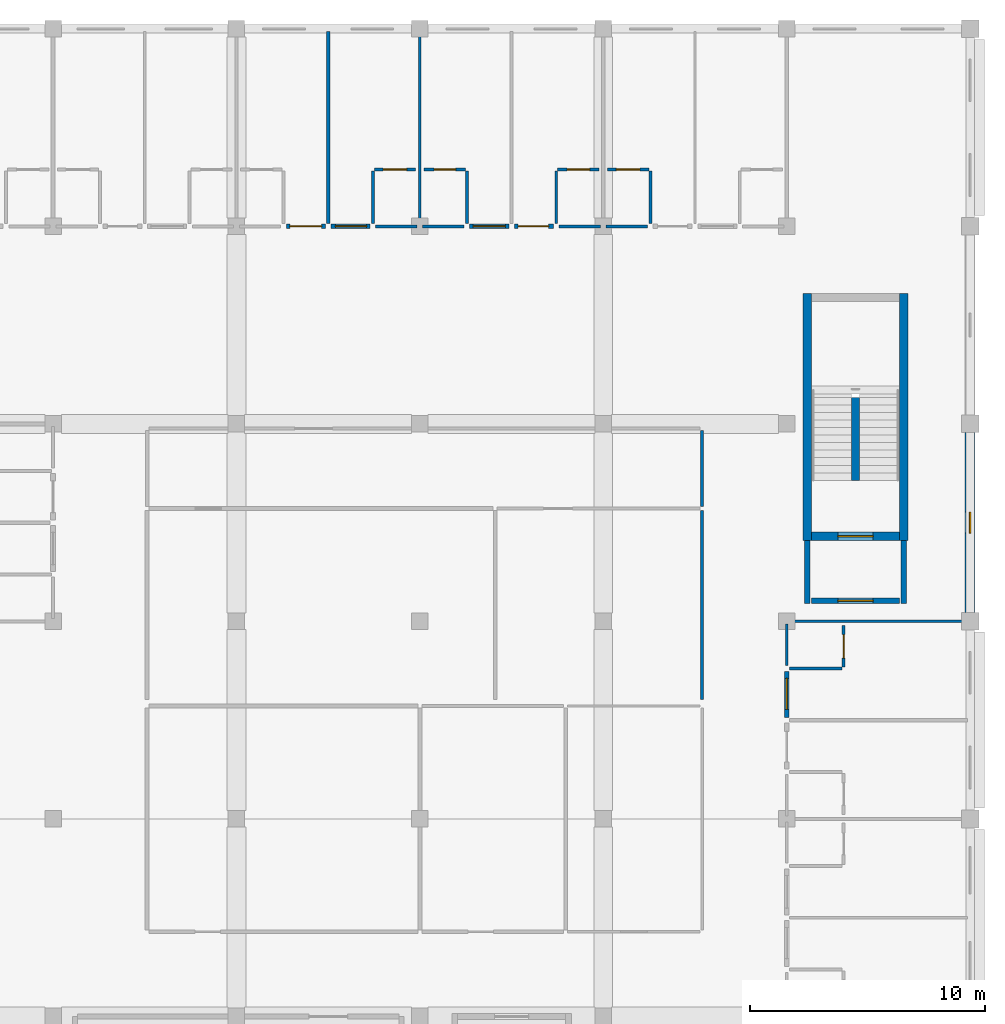
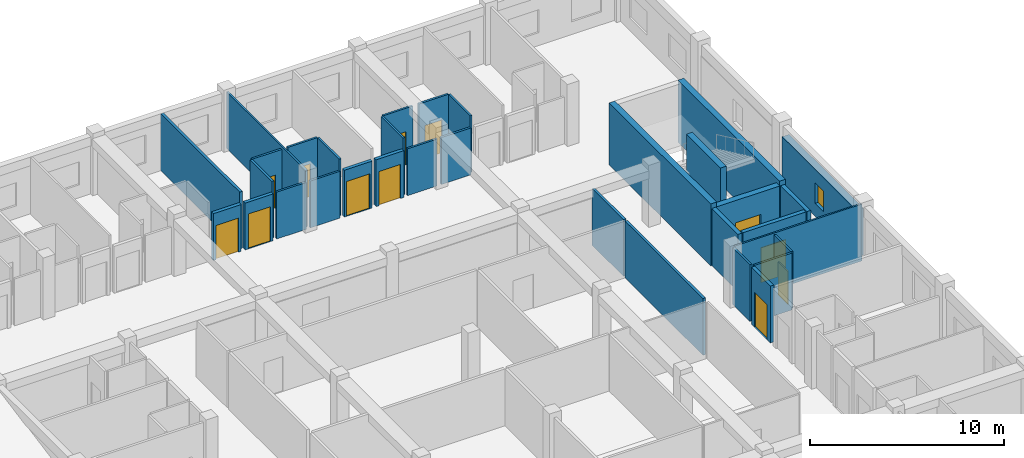
# One storey, part 62 of 72: 33 walls, 12 doors, 1 window, 13 openings.
"""IFC4 building model written with IfcOpenShell, lengths in metres."""

from ifc_helpers import new_model, si_unit, direction, frame, frame_2d, origin, place, context, subcontext, project, spatial, rectangle, extrude, material, layer, layer_set, type_object, element, fill, save


model = new_model("IFC4")

# Units and contexts
model_context = context("Model", 3, precision=1e-05, world=origin(), true_north=direction((0.0, 1.0)))
body_context = subcontext(model_context, "Body", "Model", "MODEL_VIEW")
ifc_project = project(units=[si_unit("LENGTHUNIT", "METRE"), si_unit("AREAUNIT", "SQUARE_METRE"), si_unit("VOLUMEUNIT", "CUBIC_METRE"), si_unit("PLANEANGLEUNIT", "RADIAN"), si_unit("MASSUNIT", "GRAM", prefix="KILO"), si_unit("THERMODYNAMICTEMPERATUREUNIT", "KELVIN"), si_unit("POWERUNIT", "WATT")], contexts=[model_context])

# Site, building, storey
site_placement = place(None, origin())
site = spatial("IfcSite", under=ifc_project, at=site_placement, CompositionType="ELEMENT")
building_placement = place(site_placement, origin())
building = spatial("IfcBuilding", under=site, at=building_placement, Name="Srebrne Nadtorze General Hospital", CompositionType="ELEMENT")
storey_placement = place(building_placement, frame((0.0, 0.0, 22.199951171875)))
storey = spatial("IfcBuildingStorey", under=building, at=storey_placement, Name="L05", CompositionType="ELEMENT", Elevation=22.199951171875)

# Wall, opening, window
ifc_material_1 = material(Name="Concrete C40/50", Category="concrete")
ifc_layer_1 = layer(ifc_material_1, 0.419921875)
ifc_layer_set_1 = layer_set([ifc_layer_1], Name="Concrete C40/50")
wall_type_1 = type_object("IfcWallType", Name="Acoustic buffer wall 420", PredefinedType="SOLIDWALL", material=ifc_layer_set_1)
wall_1_placement = place(storey_placement, frame((148.199951171875, 67.574951171875, 0.0), z_axis=(0.0, 0.0, 1.0), x_axis=(0.0, 1.0, 0.0)))
wall_1 = element("IfcWall", 1, at=wall_1_placement, inside=storey, type_object=wall_type_1, Name="Exterior wall WL-ENV-L05-0457", PredefinedType="SOLIDWALL", context=body_context, shape_type="SweptSolid", body=[
    extrude(rectangle(XDim=7.650146484375, YDim=0.419921875, at=frame_2d((3.8251953125, 0.0))), origin(), (0.0, 0.0, 1.0), 2.949951171875),
])
opening_1_placement = place(wall_1_placement, frame((3.375, 0.0, 0.800048828125)))
opening_1 = element("IfcOpeningElement", 2, at=opening_1_placement, cuts=wall_1, Name="Opening WN-L05-0749", PredefinedType="OPENING", context=body_context, shape_type="SweptSolid", body=[
    extrude(rectangle(XDim=0.89990234375, YDim=1.300048828125, at=frame_2d((0.449951171875, 0.64990234375))), frame((0.0, 0.221923828125, 0.0), z_axis=(0.0, -1.0, 0.0), x_axis=(1.0, 0.0, 0.0)), (0.0, 0.0, 1.0), 0.44384765625),
])
ifc_material_2 = material(Name="Triple Low-E Glazing", Category="glass")
window_type = type_object("IfcWindowType", Name="Punched clinical window 900x1300", PartitioningType="SINGLE_PANEL", PredefinedType="WINDOW", material=ifc_material_2)
window_placement = place(opening_1_placement, origin())
window = element("IfcWindow", 3, at=window_placement, inside=storey, type_object=window_type, Name="Clinical window WN-L05-0749", OverallHeight=1.300048828125, OverallWidth=0.89990234375, PartitioningType="SINGLE_PANEL", PredefinedType="WINDOW", context=body_context, shape_type="SweptSolid", body=[
    extrude(rectangle(XDim=0.89990234375, YDim=1.300048828125, at=frame_2d((0.449951171875, 0.64990234375))), frame((0.0, 0.030029296875, 0.0), z_axis=(0.0, -1.0, 0.0), x_axis=(1.0, 0.0, 0.0)), (0.0, 0.0, 1.0), 0.06005859375),
])
fill(opening_1, window)

# Walls
ifc_material_3 = material(Name="Gypsum Healthcare Partition")
ifc_layer_2 = layer(ifc_material_3, 0.139892578125)
ifc_layer_set_2 = layer_set([ifc_layer_2], Name="Gypsum Healthcare Partition")
wall_type_2 = type_object("IfcWallType", Name="Clinical partition 140", PredefinedType="PARTITIONING", material=ifc_layer_set_2)
wall_2_placement = place(storey_placement, frame((136.800048828125, 63.885009765625, 0.0), z_axis=(0.0, 0.0, 1.0), x_axis=(0.0, 1.0, 0.0)))
element("IfcWall", 4, at=wall_2_placement, inside=storey, type_object=wall_type_2, Name="Joint Mobilisation Clinic wall WL-INT-L05-2141", PredefinedType="PARTITIONING", context=body_context, shape_type="SweptSolid", body=[
    extrude(rectangle(XDim=8.030029296875, YDim=0.139892578125, at=frame_2d((4.01513671875, 0.0))), origin(), (0.0, 0.0, 1.0), 3.580078125),
])
wall_3_placement = place(storey_placement, frame((136.800048828125, 72.0849609375, 0.0), z_axis=(0.0, 0.0, 1.0), x_axis=(0.0, 1.0, 0.0)))
element("IfcWall", 5, at=wall_3_placement, inside=storey, type_object=wall_type_2, Name="Inpatient Ward Day Room wall WL-INT-L05-2152", PredefinedType="PARTITIONING", context=body_context, shape_type="SweptSolid", body=[
    extrude(rectangle(XDim=3.22998046875, YDim=0.139892578125, at=frame_2d((1.614990234375, 0.0))), origin(), (0.0, 0.0, 1.0), 3.580078125),
])
ifc_material_4 = material(Name="Gypsum Healthcare Partition")
ifc_layer_3 = layer(ifc_material_4, 0.159912109375)
ifc_layer_set_3 = layer_set([ifc_layer_3], Name="Gypsum Healthcare Partition")
wall_type_3 = type_object("IfcWallType", Name="Clinical partition 160", PredefinedType="PARTITIONING", material=ifc_layer_set_3)
wall_4_placement = place(storey_placement, frame((120.89990234375, 84.1201171875, 0.0), z_axis=(0.0, 0.0, 1.0), x_axis=(0.0, 1.0, 0.0)))
element("IfcWall", 6, at=wall_4_placement, inside=storey, type_object=wall_type_3, Name="Ward inter-room partition WL-INT-L05-2024", PredefinedType="PARTITIONING", context=body_context, shape_type="SweptSolid", body=[
    extrude(rectangle(XDim=8.159912109375, YDim=0.159912109375, at=frame_2d((4.080078125, 0.0))), origin(), (0.0, 0.0, 1.0), 3.580078125),
])

# Wall, opening, door
ifc_material_5 = material(Name="Gypsum Healthcare Partition")
ifc_layer_4 = layer(ifc_material_5, 0.199951171875)
ifc_layer_set_4 = layer_set([ifc_layer_4], Name="Gypsum Healthcare Partition")
wall_type_4 = type_object("IfcWallType", Name="Compartment wall 200", PredefinedType="STANDARD", material=ifc_layer_set_4)
wall_5_placement = place(storey_placement, frame((119.1201171875, 84.0, 0.0), z_axis=(0.0, 0.0, 1.0), x_axis=(1.0, 0.0, 0.0)))
wall_5 = element("IfcWall", 7, at=wall_5_placement, inside=storey, type_object=wall_type_4, Name="Ward corridor wall WL-INT-L05-2025", PredefinedType="STANDARD", context=body_context, shape_type="SweptSolid", body=[
    extrude(rectangle(XDim=1.659912109375, YDim=0.199951171875, at=frame_2d((0.830078125, 0.0))), origin(), (0.0, 0.0, 1.0), 2.949951171875),
])
opening_2_placement = place(wall_5_placement, frame((0.155029296875, 0.0, 0.0)))
opening_2 = element("IfcOpeningElement", 8, at=opening_2_placement, cuts=wall_5, Name="Opening D-L05-0414", PredefinedType="OPENING", context=body_context, shape_type="SweptSolid", body=[
    extrude(rectangle(XDim=1.35009765625, YDim=2.14990234375, at=frame_2d((0.675048828125, 1.074951171875))), frame((0.0, 0.11181640625, 0.0), z_axis=(0.0, -1.0, 0.0), x_axis=(1.0, 0.0, 0.0)), (0.0, 0.0, 1.0), 0.223876953125),
])
ifc_material_6 = material(Name="Anodised Aluminium", Category="aluminium")
door_type_1 = type_object("IfcDoorType", Name="Single leaf door 1350x2150", OperationType="NOTDEFINED", PredefinedType="DOOR", material=ifc_material_6)
door_1_placement = place(opening_2_placement, origin())
door_1 = element("IfcDoor", 9, at=door_1_placement, inside=storey, type_object=door_type_1, Name="Ward patient room door D-L05-0414", OperationType="SINGLE_SWING_LEFT", OverallHeight=2.14990234375, OverallWidth=1.35009765625, PredefinedType="DOOR", context=body_context, shape_type="SweptSolid", body=[
    extrude(rectangle(XDim=1.35009765625, YDim=2.14990234375, at=frame_2d((0.675048828125, 1.074951171875))), frame((0.0, 0.02490234375, 0.0), z_axis=(0.0, -1.0, 0.0), x_axis=(1.0, 0.0, 0.0)), (0.0, 0.0, 1.0), 0.050048828125),
])
fill(opening_2, door_1)

wall_6_placement = place(storey_placement, frame((121.02001953125, 84.0, 0.0), z_axis=(0.0, 0.0, 1.0), x_axis=(1.0, 0.0, 0.0)))
wall_6 = element("IfcWall", 10, at=wall_6_placement, inside=storey, type_object=wall_type_4, Name="Ward corridor wall WL-INT-L05-2030", PredefinedType="STANDARD", context=body_context, shape_type="SweptSolid", body=[
    extrude(rectangle(XDim=1.659912109375, YDim=0.199951171875, at=frame_2d((0.830078125, 0.0))), origin(), (0.0, 0.0, 1.0), 2.949951171875),
])
opening_3_placement = place(wall_6_placement, frame((0.18994140625, 0.0, 0.0)))
opening_3 = element("IfcOpeningElement", 11, at=opening_3_placement, cuts=wall_6, Name="Opening D-L05-0416", PredefinedType="OPENING", context=body_context, shape_type="SweptSolid", body=[
    extrude(rectangle(XDim=1.320068359375, YDim=2.199951171875, at=frame_2d((0.66015625, 1.10009765625))), frame((0.0, 0.11181640625, 0.0), z_axis=(0.0, -1.0, 0.0), x_axis=(1.0, 0.0, 0.0)), (0.0, 0.0, 1.0), 0.223876953125),
])
ifc_material_7 = material(Name="Anodised Aluminium", Category="aluminium")
door_type_2 = type_object("IfcDoorType", Name="Single leaf door 1320x2200", OperationType="NOTDEFINED", PredefinedType="DOOR", material=ifc_material_7)
door_2_placement = place(opening_3_placement, origin())
door_2 = element("IfcDoor", 12, at=door_2_placement, inside=storey, type_object=door_type_2, Name="Ward patient room door D-L05-0416", OperationType="SINGLE_SWING_RIGHT", OverallHeight=2.199951171875, OverallWidth=1.320068359375, PredefinedType="DOOR", context=body_context, shape_type="SweptSolid", body=[
    extrude(rectangle(XDim=1.320068359375, YDim=2.199951171875, at=frame_2d((0.66015625, 1.10009765625))), frame((0.0, 0.02490234375, 0.0), z_axis=(0.0, -1.0, 0.0), x_axis=(1.0, 0.0, 0.0)), (0.0, 0.0, 1.0), 0.050048828125),
])
fill(opening_3, door_2)

wall_7_placement = place(storey_placement, frame((126.919921875, 84.0, 0.0), z_axis=(0.0, 0.0, 1.0), x_axis=(1.0, 0.0, 0.0)))
wall_7 = element("IfcWall", 13, at=wall_7_placement, inside=storey, type_object=wall_type_4, Name="Ward corridor wall WL-INT-L05-2035", PredefinedType="STANDARD", context=body_context, shape_type="SweptSolid", body=[
    extrude(rectangle(XDim=1.66015625, YDim=0.199951171875, at=frame_2d((0.830078125, 0.0))), origin(), (0.0, 0.0, 1.0), 2.949951171875),
])
opening_4_placement = place(wall_7_placement, frame((0.139892578125, 0.0, 0.0)))
opening_4 = element("IfcOpeningElement", 14, at=opening_4_placement, cuts=wall_7, Name="Opening D-L05-0418", PredefinedType="OPENING", context=body_context, shape_type="SweptSolid", body=[
    extrude(rectangle(XDim=1.3798828125, YDim=2.199951171875, at=frame_2d((0.68994140625, 1.10009765625))), frame((0.0, 0.11181640625, 0.0), z_axis=(0.0, -1.0, 0.0), x_axis=(1.0, 0.0, 0.0)), (0.0, 0.0, 1.0), 0.223876953125),
])
ifc_material_8 = material(Name="Anodised Aluminium", Category="aluminium")
door_type_3 = type_object("IfcDoorType", Name="Single leaf door 1380x2200", OperationType="NOTDEFINED", PredefinedType="DOOR", material=ifc_material_8)
door_3_placement = place(opening_4_placement, origin())
door_3 = element("IfcDoor", 15, at=door_3_placement, inside=storey, type_object=door_type_3, Name="Ward patient room door D-L05-0418", OperationType="SINGLE_SWING_LEFT", OverallHeight=2.199951171875, OverallWidth=1.3798828125, PredefinedType="DOOR", context=body_context, shape_type="SweptSolid", body=[
    extrude(rectangle(XDim=1.3798828125, YDim=2.199951171875, at=frame_2d((0.68994140625, 1.10009765625))), frame((0.0, 0.02490234375, 0.0), z_axis=(0.0, -1.0, 0.0), x_axis=(1.0, 0.0, 0.0)), (0.0, 0.0, 1.0), 0.050048828125),
])
fill(opening_4, door_3)

wall_8_placement = place(storey_placement, frame((128.820068359375, 84.0, 0.0), z_axis=(0.0, 0.0, 1.0), x_axis=(1.0, 0.0, 0.0)))
wall_8 = element("IfcWall", 16, at=wall_8_placement, inside=storey, type_object=wall_type_4, Name="Ward corridor wall WL-INT-L05-2040", PredefinedType="STANDARD", context=body_context, shape_type="SweptSolid", body=[
    extrude(rectangle(XDim=1.659912109375, YDim=0.199951171875, at=frame_2d((0.830078125, 0.0))), origin(), (0.0, 0.0, 1.0), 2.949951171875),
])
opening_5_placement = place(wall_8_placement, frame((0.155029296875, 0.0, 0.0)))
opening_5 = element("IfcOpeningElement", 17, at=opening_5_placement, cuts=wall_8, Name="Opening D-L05-0420", PredefinedType="OPENING", context=body_context, shape_type="SweptSolid", body=[
    extrude(rectangle(XDim=1.300048828125, YDim=2.14990234375, at=frame_2d((0.64990234375, 1.074951171875))), frame((0.0, 0.11181640625, 0.0), z_axis=(0.0, -1.0, 0.0), x_axis=(1.0, 0.0, 0.0)), (0.0, 0.0, 1.0), 0.223876953125),
])
ifc_material_9 = material(Name="Anodised Aluminium", Category="aluminium")
door_type_4 = type_object("IfcDoorType", Name="Single leaf door 1300x2150", OperationType="NOTDEFINED", PredefinedType="DOOR", material=ifc_material_9)
door_4_placement = place(opening_5_placement, origin())
door_4 = element("IfcDoor", 18, at=door_4_placement, inside=storey, type_object=door_type_4, Name="Ward patient room door D-L05-0420", OperationType="SINGLE_SWING_RIGHT", OverallHeight=2.14990234375, OverallWidth=1.300048828125, PredefinedType="DOOR", context=body_context, shape_type="SweptSolid", body=[
    extrude(rectangle(XDim=1.300048828125, YDim=2.14990234375, at=frame_2d((0.64990234375, 1.074951171875))), frame((0.0, 0.02490234375, 0.0), z_axis=(0.0, -1.0, 0.0), x_axis=(1.0, 0.0, 0.0)), (0.0, 0.0, 1.0), 0.050048828125),
])
fill(opening_5, door_4)

wall_9_placement = place(storey_placement, frame((140.39990234375, 63.1201171875, 0.0), z_axis=(0.0, 0.0, 1.0), x_axis=(0.0, 1.0, 0.0)))
wall_9 = element("IfcWall", 19, at=wall_9_placement, inside=storey, type_object=wall_type_4, Name="Ward corridor wall WL-INT-L05-2091", PredefinedType="STANDARD", context=body_context, shape_type="SweptSolid", body=[
    extrude(rectangle(XDim=1.9599609375, YDim=0.199951171875, at=frame_2d((0.97998046875, 0.0))), origin(), (0.0, 0.0, 1.0), 3.580078125),
])
opening_6_placement = place(wall_9_placement, frame((0.340087890625, 0.0, 0.0)))
opening_6 = element("IfcOpeningElement", 20, at=opening_6_placement, cuts=wall_9, Name="Opening D-L05-0440", PredefinedType="OPENING", context=body_context, shape_type="SweptSolid", body=[
    extrude(rectangle(XDim=1.320068359375, YDim=2.199951171875, at=frame_2d((0.66015625, 1.10009765625))), frame((0.0, 0.11181640625, 0.0), z_axis=(0.0, -1.0, 0.0), x_axis=(1.0, 0.0, 0.0)), (0.0, 0.0, 1.0), 0.223876953125),
])
door_5_placement = place(opening_6_placement, frame((1.320068359375, 0.0, 0.0), z_axis=(0.0, 0.0, 1.0), x_axis=(-1.0, 0.0, 0.0)))
door_5 = element("IfcDoor", 21, at=door_5_placement, inside=storey, type_object=door_type_2, Name="Ward patient room door D-L05-0440", OperationType="SINGLE_SWING_RIGHT", OverallHeight=2.199951171875, OverallWidth=1.320068359375, PredefinedType="DOOR", context=body_context, shape_type="SweptSolid", body=[
    extrude(rectangle(XDim=1.320068359375, YDim=2.199951171875, at=frame_2d((0.66015625, 1.10009765625))), frame((0.0, 0.02490234375, 0.0), z_axis=(0.0, -1.0, 0.0), x_axis=(1.0, 0.0, 0.0)), (0.0, 0.0, 1.0), 0.050048828125),
])
fill(opening_6, door_5)

# Walls
ifc_material_10 = material(Name="Gypsum Healthcare Partition")
ifc_layer_5 = layer(ifc_material_10, 0.239990234375)
ifc_layer_set_5 = layer_set([ifc_layer_5], Name="Gypsum Healthcare Partition")
wall_type_5 = type_object("IfcWallType", Name="Corridor fire wall 240", PredefinedType="STANDARD", material=ifc_layer_set_5)
for number, where, z_axis, x_axis, name in (
    (22, (141.27490234375, 67.955078125, 0.0), (0.0, 0.0, 1.0), (0.0, 1.0, 0.0), "Fire lobby wall ST-04 WL-INT-L05-0365"),
    (23, (145.375, 67.955078125, 0.0), (0.0, 0.0, 1.0), (0.0, 1.0, 0.0), "Fire lobby wall ST-04 WL-INT-L05-0366"),
):
    element("IfcWall", number, at=place(storey_placement, frame(where, z_axis=z_axis, x_axis=x_axis)), inside=storey, type_object=wall_type_5, Name=name, PredefinedType="STANDARD", context=body_context, shape_type="SweptSolid", body=[
        extrude(rectangle(XDim=2.69482421875, YDim=0.239990234375, at=frame_2d((1.347412109375, 0.0))), origin(), (0.0, 0.0, 1.0), 3.60009765625),
    ])

# Wall, opening, door
wall_10_placement = place(storey_placement, frame((141.449951171875, 68.074951171875, 0.0), z_axis=(0.0, 0.0, 1.0), x_axis=(1.0, 0.0, 0.0)))
wall_10 = element("IfcWall", 24, at=wall_10_placement, inside=storey, type_object=wall_type_5, Name="Fire lobby entry wall ST-04 WL-INT-L05-0367", PredefinedType="STANDARD", context=body_context, shape_type="SweptSolid", body=[
    extrude(rectangle(XDim=3.75, YDim=0.239990234375, at=frame_2d((1.875, 0.0))), origin(), (0.0, 0.0, 1.0), 3.60009765625),
])
opening_7_placement = place(wall_10_placement, frame((1.125, 0.0, 0.0)))
opening_7 = element("IfcOpeningElement", 25, at=opening_7_placement, cuts=wall_10, Name="Opening D-L05-0092", PredefinedType="OPENING", context=body_context, shape_type="SweptSolid", body=[
    extrude(rectangle(XDim=1.5, YDim=2.199951171875, at=frame_2d((0.75, 1.10009765625))), frame((0.0, 0.1318359375, 0.0), z_axis=(0.0, -1.0, 0.0), x_axis=(1.0, 0.0, 0.0)), (0.0, 0.0, 1.0), 0.263916015625),
])
ifc_material_11 = material(Name="Anodised Aluminium", Category="aluminium")
door_type_5 = type_object("IfcDoorType", Name="Double leaf door 1500x2200", OperationType="DOUBLE_DOOR_SINGLE_SWING", PredefinedType="DOOR", material=ifc_material_11)
door_6_placement = place(opening_7_placement, origin())
door_6 = element("IfcDoor", 26, at=door_6_placement, inside=storey, type_object=door_type_5, Name="Fire lobby door ST-04 D-L05-0092", OperationType="DOUBLE_DOOR_SINGLE_SWING", OverallHeight=2.199951171875, OverallWidth=1.5, PredefinedType="DOOR", context=body_context, shape_type="SweptSolid", body=[
    extrude(rectangle(XDim=1.5, YDim=2.199951171875, at=frame_2d((0.75, 1.10009765625))), frame((0.0, 0.02490234375, 0.0), z_axis=(0.0, -1.0, 0.0), x_axis=(1.0, 0.0, 0.0)), (0.0, 0.0, 1.0), 0.050048828125),
])
fill(opening_7, door_6)

# Walls
ifc_material_12 = material(Name="Gypsum Healthcare Partition")
ifc_layer_6 = layer(ifc_material_12, 0.1201171875)
ifc_layer_set_6 = layer_set([ifc_layer_6], Name="Gypsum Healthcare Partition")
wall_type_6 = type_object("IfcWallType", Name="En-suite partition 120", PredefinedType="PARTITIONING", material=ifc_layer_set_6)
wall_11_placement = place(storey_placement, frame((122.919921875, 84.0, 0.0), z_axis=(0.0, 0.0, 1.0), x_axis=(1.0, 0.0, 0.0)))
element("IfcWall", 27, at=wall_11_placement, inside=storey, type_object=wall_type_6, Name="En-suite corridor wall WL-INT-L05-2031", PredefinedType="PARTITIONING", context=body_context, shape_type="SweptSolid", body=[
    extrude(rectangle(XDim=1.760009765625, YDim=0.1201171875, at=frame_2d((0.8798828125, 0.0))), origin(), (0.0, 0.0, 1.0), 2.949951171875),
])
wall_12_placement = place(storey_placement, frame((122.800048828125, 84.1201171875, 0.0), z_axis=(0.0, 0.0, 1.0), x_axis=(0.0, 1.0, 0.0)))
element("IfcWall", 28, at=wall_12_placement, inside=storey, type_object=wall_type_6, Name="En-suite wet wall WL-INT-L05-2032", PredefinedType="PARTITIONING", context=body_context, shape_type="SweptSolid", body=[
    extrude(rectangle(XDim=2.239990234375, YDim=0.1201171875, at=frame_2d((1.1201171875, 0.0))), origin(), (0.0, 0.0, 1.0), 3.580078125),
])

# Wall, opening, door
wall_13_placement = place(storey_placement, frame((122.860107421875, 86.419921875, 0.0), z_axis=(0.0, 0.0, 1.0), x_axis=(1.0, 0.0, 0.0)))
wall_13 = element("IfcWall", 29, at=wall_13_placement, inside=storey, type_object=wall_type_6, Name="En-suite wet wall WL-INT-L05-2033", PredefinedType="PARTITIONING", context=body_context, shape_type="SweptSolid", body=[
    extrude(rectangle(XDim=1.760009765625, YDim=0.1201171875, at=frame_2d((0.8798828125, 0.0))), origin(), (0.0, 0.0, 1.0), 3.580078125),
])
opening_8_placement = place(wall_13_placement, frame((0.3798828125, 0.0, 0.0)))
opening_8 = element("IfcOpeningElement", 30, at=opening_8_placement, cuts=wall_13, Name="Opening D-L05-0417", PredefinedType="OPENING", context=body_context, shape_type="SweptSolid", body=[
    extrude(rectangle(XDim=1.0, YDim=2.10009765625, at=frame_2d((0.5, 1.050048828125))), frame((0.0, 0.072021484375, 0.0), z_axis=(0.0, -1.0, 0.0), x_axis=(1.0, 0.0, 0.0)), (0.0, 0.0, 1.0), 0.14404296875),
])
ifc_material_13 = material(Name="Anodised Aluminium", Category="aluminium")
door_type_6 = type_object("IfcDoorType", Name="Single leaf door 1000x2100", OperationType="NOTDEFINED", PredefinedType="DOOR", material=ifc_material_13)
door_7_placement = place(opening_8_placement, frame((1.0, 0.0, 0.0), z_axis=(0.0, 0.0, 1.0), x_axis=(-1.0, 0.0, 0.0)))
door_7 = element("IfcDoor", 31, at=door_7_placement, inside=storey, type_object=door_type_6, Name="En-suite bathroom door D-L05-0417", OperationType="SINGLE_SWING_LEFT", OverallHeight=2.10009765625, OverallWidth=1.0, PredefinedType="DOOR", context=body_context, shape_type="SweptSolid", body=[
    extrude(rectangle(XDim=1.0, YDim=2.10009765625, at=frame_2d((0.5, 1.050048828125))), frame((0.0, 0.02490234375, 0.0), z_axis=(0.0, -1.0, 0.0), x_axis=(1.0, 0.0, 0.0)), (0.0, 0.0, 1.0), 0.050048828125),
])
fill(opening_8, door_7)

# Walls
wall_14_placement = place(storey_placement, frame((124.919921875, 84.0, 0.0), z_axis=(0.0, 0.0, 1.0), x_axis=(1.0, 0.0, 0.0)))
element("IfcWall", 32, at=wall_14_placement, inside=storey, type_object=wall_type_6, Name="En-suite corridor wall WL-INT-L05-2036", PredefinedType="PARTITIONING", context=body_context, shape_type="SweptSolid", body=[
    extrude(rectangle(XDim=1.760009765625, YDim=0.1201171875, at=frame_2d((0.8798828125, 0.0))), origin(), (0.0, 0.0, 1.0), 2.949951171875),
])
wall_15_placement = place(storey_placement, frame((126.800048828125, 84.1201171875, 0.0), z_axis=(0.0, 0.0, 1.0), x_axis=(0.0, 1.0, 0.0)))
element("IfcWall", 33, at=wall_15_placement, inside=storey, type_object=wall_type_6, Name="En-suite wet wall WL-INT-L05-2037", PredefinedType="PARTITIONING", context=body_context, shape_type="SweptSolid", body=[
    extrude(rectangle(XDim=2.239990234375, YDim=0.1201171875, at=frame_2d((1.1201171875, 0.0))), origin(), (0.0, 0.0, 1.0), 3.580078125),
])

# Wall, opening, door
wall_16_placement = place(storey_placement, frame((124.97998046875, 86.419921875, 0.0), z_axis=(0.0, 0.0, 1.0), x_axis=(1.0, 0.0, 0.0)))
wall_16 = element("IfcWall", 34, at=wall_16_placement, inside=storey, type_object=wall_type_6, Name="En-suite wet wall WL-INT-L05-2038", PredefinedType="PARTITIONING", context=body_context, shape_type="SweptSolid", body=[
    extrude(rectangle(XDim=1.760009765625, YDim=0.1201171875, at=frame_2d((0.8798828125, 0.0))), origin(), (0.0, 0.0, 1.0), 3.580078125),
])
opening_9_placement = place(wall_16_placement, frame((0.419921875, 0.0, 0.0)))
opening_9 = element("IfcOpeningElement", 35, at=opening_9_placement, cuts=wall_16, Name="Opening D-L05-0419", PredefinedType="OPENING", context=body_context, shape_type="SweptSolid", body=[
    extrude(rectangle(XDim=0.919921875, YDim=2.080078125, at=frame_2d((0.4599609375, 1.0400390625))), frame((0.0, 0.072021484375, 0.0), z_axis=(0.0, -1.0, 0.0), x_axis=(1.0, 0.0, 0.0)), (0.0, 0.0, 1.0), 0.14404296875),
])
ifc_material_14 = material(Name="Anodised Aluminium", Category="aluminium")
door_type_7 = type_object("IfcDoorType", Name="Single leaf door 920x2080", OperationType="NOTDEFINED", PredefinedType="DOOR", material=ifc_material_14)
door_8_placement = place(opening_9_placement, frame((0.919921875, 0.0, 0.0), z_axis=(0.0, 0.0, 1.0), x_axis=(-1.0, 0.0, 0.0)))
door_8 = element("IfcDoor", 36, at=door_8_placement, inside=storey, type_object=door_type_7, Name="En-suite bathroom door D-L05-0419", OperationType="SINGLE_SWING_LEFT", OverallHeight=2.080078125, OverallWidth=0.919921875, PredefinedType="DOOR", context=body_context, shape_type="SweptSolid", body=[
    extrude(rectangle(XDim=0.919921875, YDim=2.080078125, at=frame_2d((0.4599609375, 1.0400390625))), frame((0.0, 0.02490234375, 0.0), z_axis=(0.0, -1.0, 0.0), x_axis=(1.0, 0.0, 0.0)), (0.0, 0.0, 1.0), 0.050048828125),
])
fill(opening_9, door_8)

# Walls
wall_17_placement = place(storey_placement, frame((130.719970703125, 84.0, 0.0), z_axis=(0.0, 0.0, 1.0), x_axis=(1.0, 0.0, 0.0)))
element("IfcWall", 37, at=wall_17_placement, inside=storey, type_object=wall_type_6, Name="En-suite corridor wall WL-INT-L05-2041", PredefinedType="PARTITIONING", context=body_context, shape_type="SweptSolid", body=[
    extrude(rectangle(XDim=1.760009765625, YDim=0.1201171875, at=frame_2d((0.8798828125, 0.0))), origin(), (0.0, 0.0, 1.0), 2.949951171875),
])
wall_18_placement = place(storey_placement, frame((130.60009765625, 84.1201171875, 0.0), z_axis=(0.0, 0.0, 1.0), x_axis=(0.0, 1.0, 0.0)))
element("IfcWall", 38, at=wall_18_placement, inside=storey, type_object=wall_type_6, Name="En-suite wet wall WL-INT-L05-2042", PredefinedType="PARTITIONING", context=body_context, shape_type="SweptSolid", body=[
    extrude(rectangle(XDim=2.239990234375, YDim=0.1201171875, at=frame_2d((1.1201171875, 0.0))), origin(), (0.0, 0.0, 1.0), 3.580078125),
])

# Wall, opening, door
wall_19_placement = place(storey_placement, frame((130.659912109375, 86.419921875, 0.0), z_axis=(0.0, 0.0, 1.0), x_axis=(1.0, 0.0, 0.0)))
wall_19 = element("IfcWall", 39, at=wall_19_placement, inside=storey, type_object=wall_type_6, Name="En-suite wet wall WL-INT-L05-2043", PredefinedType="PARTITIONING", context=body_context, shape_type="SweptSolid", body=[
    extrude(rectangle(XDim=1.760009765625, YDim=0.1201171875, at=frame_2d((0.8798828125, 0.0))), origin(), (0.0, 0.0, 1.0), 3.580078125),
])
opening_10_placement = place(wall_19_placement, frame((0.405029296875, 0.0, 0.0)))
opening_10 = element("IfcOpeningElement", 40, at=opening_10_placement, cuts=wall_19, Name="Opening D-L05-0421", PredefinedType="OPENING", context=body_context, shape_type="SweptSolid", body=[
    extrude(rectangle(XDim=0.949951171875, YDim=2.10009765625, at=frame_2d((0.47509765625, 1.050048828125))), frame((0.0, 0.072021484375, 0.0), z_axis=(0.0, -1.0, 0.0), x_axis=(1.0, 0.0, 0.0)), (0.0, 0.0, 1.0), 0.14404296875),
])
ifc_material_15 = material(Name="Anodised Aluminium", Category="aluminium")
door_type_8 = type_object("IfcDoorType", Name="Single leaf door 950x2100", OperationType="NOTDEFINED", PredefinedType="DOOR", material=ifc_material_15)
door_9_placement = place(opening_10_placement, frame((0.949951171875, 0.0, 0.0), z_axis=(0.0, 0.0, 1.0), x_axis=(-1.0, 0.0, 0.0)))
door_9 = element("IfcDoor", 41, at=door_9_placement, inside=storey, type_object=door_type_8, Name="En-suite bathroom door D-L05-0421", OperationType="SINGLE_SWING_LEFT", OverallHeight=2.10009765625, OverallWidth=0.949951171875, PredefinedType="DOOR", context=body_context, shape_type="SweptSolid", body=[
    extrude(rectangle(XDim=0.949951171875, YDim=2.10009765625, at=frame_2d((0.47509765625, 1.050048828125))), frame((0.0, 0.02490234375, 0.0), z_axis=(0.0, -1.0, 0.0), x_axis=(1.0, 0.0, 0.0)), (0.0, 0.0, 1.0), 0.050048828125),
])
fill(opening_10, door_9)

# Walls
wall_20_placement = place(storey_placement, frame((132.719970703125, 84.0, 0.0), z_axis=(0.0, 0.0, 1.0), x_axis=(1.0, 0.0, 0.0)))
element("IfcWall", 42, at=wall_20_placement, inside=storey, type_object=wall_type_6, Name="En-suite corridor wall WL-INT-L05-2046", PredefinedType="PARTITIONING", context=body_context, shape_type="SweptSolid", body=[
    extrude(rectangle(XDim=1.760009765625, YDim=0.1201171875, at=frame_2d((0.8798828125, 0.0))), origin(), (0.0, 0.0, 1.0), 2.949951171875),
])
wall_21_placement = place(storey_placement, frame((134.60009765625, 84.1201171875, 0.0), z_axis=(0.0, 0.0, 1.0), x_axis=(0.0, 1.0, 0.0)))
element("IfcWall", 43, at=wall_21_placement, inside=storey, type_object=wall_type_6, Name="En-suite wet wall WL-INT-L05-2047", PredefinedType="PARTITIONING", context=body_context, shape_type="SweptSolid", body=[
    extrude(rectangle(XDim=2.239990234375, YDim=0.1201171875, at=frame_2d((1.1201171875, 0.0))), origin(), (0.0, 0.0, 1.0), 3.580078125),
])

# Wall, opening, door
wall_22_placement = place(storey_placement, frame((132.780029296875, 86.419921875, 0.0), z_axis=(0.0, 0.0, 1.0), x_axis=(1.0, 0.0, 0.0)))
wall_22 = element("IfcWall", 44, at=wall_22_placement, inside=storey, type_object=wall_type_6, Name="En-suite wet wall WL-INT-L05-2048", PredefinedType="PARTITIONING", context=body_context, shape_type="SweptSolid", body=[
    extrude(rectangle(XDim=1.760009765625, YDim=0.1201171875, at=frame_2d((0.8798828125, 0.0))), origin(), (0.0, 0.0, 1.0), 3.580078125),
])
opening_11_placement = place(wall_22_placement, frame((0.3798828125, 0.0, 0.0)))
opening_11 = element("IfcOpeningElement", 45, at=opening_11_placement, cuts=wall_22, Name="Opening D-L05-0423", PredefinedType="OPENING", context=body_context, shape_type="SweptSolid", body=[
    extrude(rectangle(XDim=1.0, YDim=2.10009765625, at=frame_2d((0.5, 1.050048828125))), frame((0.0, 0.072021484375, 0.0), z_axis=(0.0, -1.0, 0.0), x_axis=(1.0, 0.0, 0.0)), (0.0, 0.0, 1.0), 0.14404296875),
])
door_10_placement = place(opening_11_placement, frame((1.0, 0.0, 0.0), z_axis=(0.0, 0.0, 1.0), x_axis=(-1.0, 0.0, 0.0)))
door_10 = element("IfcDoor", 46, at=door_10_placement, inside=storey, type_object=door_type_6, Name="En-suite bathroom door D-L05-0423", OperationType="SINGLE_SWING_LEFT", OverallHeight=2.10009765625, OverallWidth=1.0, PredefinedType="DOOR", context=body_context, shape_type="SweptSolid", body=[
    extrude(rectangle(XDim=1.0, YDim=2.10009765625, at=frame_2d((0.5, 1.050048828125))), frame((0.0, 0.02490234375, 0.0), z_axis=(0.0, -1.0, 0.0), x_axis=(1.0, 0.0, 0.0)), (0.0, 0.0, 1.0), 0.050048828125),
])
fill(opening_11, door_10)

# Walls
wall_23_placement = place(storey_placement, frame((140.39990234375, 65.320068359375, 0.0), z_axis=(0.0, 0.0, 1.0), x_axis=(0.0, 1.0, 0.0)))
element("IfcWall", 47, at=wall_23_placement, inside=storey, type_object=wall_type_6, Name="En-suite corridor wall WL-INT-L05-2092", PredefinedType="PARTITIONING", context=body_context, shape_type="SweptSolid", body=[
    extrude(rectangle(XDim=1.760009765625, YDim=0.1201171875, at=frame_2d((0.8798828125, 0.0))), origin(), (0.0, 0.0, 1.0), 3.580078125),
])
wall_24_placement = place(storey_placement, frame((140.52001953125, 65.199951171875, 0.0), z_axis=(0.0, 0.0, 1.0), x_axis=(1.0, 0.0, 0.0)))
element("IfcWall", 48, at=wall_24_placement, inside=storey, type_object=wall_type_6, Name="En-suite wet wall WL-INT-L05-2093", PredefinedType="PARTITIONING", context=body_context, shape_type="SweptSolid", body=[
    extrude(rectangle(XDim=2.239990234375, YDim=0.1201171875, at=frame_2d((1.1201171875, 0.0))), origin(), (0.0, 0.0, 1.0), 3.580078125),
])

# Wall, opening, door
wall_25_placement = place(storey_placement, frame((142.820068359375, 65.260009765625, 0.0), z_axis=(0.0, 0.0, 1.0), x_axis=(0.0, 1.0, 0.0)))
wall_25 = element("IfcWall", 49, at=wall_25_placement, inside=storey, type_object=wall_type_6, Name="En-suite wet wall WL-INT-L05-2094", PredefinedType="PARTITIONING", context=body_context, shape_type="SweptSolid", body=[
    extrude(rectangle(XDim=1.760009765625, YDim=0.1201171875, at=frame_2d((0.8798828125, 0.0))), origin(), (0.0, 0.0, 1.0), 3.580078125),
])
opening_12_placement = place(wall_25_placement, frame((0.3798828125, 0.0, 0.0)))
opening_12 = element("IfcOpeningElement", 50, at=opening_12_placement, cuts=wall_25, Name="Opening D-L05-0441", PredefinedType="OPENING", context=body_context, shape_type="SweptSolid", body=[
    extrude(rectangle(XDim=1.0, YDim=2.10009765625, at=frame_2d((0.5, 1.050048828125))), frame((0.0, 0.072021484375, 0.0), z_axis=(0.0, -1.0, 0.0), x_axis=(1.0, 0.0, 0.0)), (0.0, 0.0, 1.0), 0.14404296875),
])
door_11_placement = place(opening_12_placement, origin())
door_11 = element("IfcDoor", 51, at=door_11_placement, inside=storey, type_object=door_type_6, Name="En-suite bathroom door D-L05-0441", OperationType="SINGLE_SWING_LEFT", OverallHeight=2.10009765625, OverallWidth=1.0, PredefinedType="DOOR", context=body_context, shape_type="SweptSolid", body=[
    extrude(rectangle(XDim=1.0, YDim=2.10009765625, at=frame_2d((0.5, 1.050048828125))), frame((0.0, 0.02490234375, 0.0), z_axis=(0.0, -1.0, 0.0), x_axis=(1.0, 0.0, 0.0)), (0.0, 0.0, 1.0), 0.050048828125),
])
fill(opening_12, door_11)

# Walls
ifc_material_16 = material(Name="Gypsum Healthcare Partition")
ifc_layer_7 = layer(ifc_material_16, 0.10009765625)
ifc_layer_set_7 = layer_set([ifc_layer_7], Name="Gypsum Healthcare Partition")
wall_type_7 = type_object("IfcWallType", Name="Shaft lining wall 100", PredefinedType="PARTITIONING", material=ifc_layer_set_7)
wall_26_placement = place(storey_placement, frame((124.800048828125, 84.1201171875, 0.0), z_axis=(0.0, 0.0, 1.0), x_axis=(0.0, 1.0, 0.0)))
element("IfcWall", 52, at=wall_26_placement, inside=storey, type_object=wall_type_7, Name="Ward inter-room partition WL-INT-L05-2029", PredefinedType="PARTITIONING", context=body_context, shape_type="SweptSolid", body=[
    extrude(rectangle(XDim=8.159912109375, YDim=0.10009765625, at=frame_2d((4.080078125, 0.0))), origin(), (0.0, 0.0, 1.0), 3.580078125),
])
wall_27_placement = place(storey_placement, frame((140.52001953125, 67.199951171875, 0.0), z_axis=(0.0, 0.0, 1.0), x_axis=(1.0, 0.0, 0.0)))
element("IfcWall", 53, at=wall_27_placement, inside=storey, type_object=wall_type_7, Name="Ward inter-room partition WL-INT-L05-2090", PredefinedType="PARTITIONING", context=body_context, shape_type="SweptSolid", body=[
    extrude(rectangle(XDim=7.56005859375, YDim=0.10009765625, at=frame_2d((3.780029296875, 0.0))), origin(), (0.0, 0.0, 1.0), 3.580078125),
])
ifc_material_17 = material(Name="Concrete C40/50", Category="concrete")
ifc_layer_8 = layer(ifc_material_17, 0.35009765625)
ifc_layer_set_8 = layer_set([ifc_layer_8], Name="Concrete C40/50")
wall_type_8 = type_object("IfcWallType", Name="Shear core wall 350", PredefinedType="SHEAR", material=ifc_layer_set_8)
for number, where, z_axis, x_axis, name in (
    (54, (141.27490234375, 70.64990234375, 0.0), (0.0, 0.0, 1.0), (0.0, 1.0, 0.0), "Stair core wall ST-04 WL-INT-L05-0361"),
    (55, (145.375, 70.64990234375, 0.0), (0.0, 0.0, 1.0), (0.0, 1.0, 0.0), "Stair core wall ST-04 WL-INT-L05-0362"),
):
    element("IfcWall", number, at=place(storey_placement, frame(where, z_axis=z_axis, x_axis=x_axis)), inside=storey, type_object=wall_type_8, Name=name, PredefinedType="SHEAR", context=body_context, shape_type="SweptSolid", body=[
        extrude(rectangle(XDim=10.5, YDim=0.35009765625, at=frame_2d((5.25, 0.0))), origin(), (0.0, 0.0, 1.0), 3.900146484375),
    ])

# Wall, opening, door
wall_28_placement = place(storey_placement, frame((141.449951171875, 70.824951171875, 0.0), z_axis=(0.0, 0.0, 1.0), x_axis=(1.0, 0.0, 0.0)))
wall_28 = element("IfcWall", 56, at=wall_28_placement, inside=storey, type_object=wall_type_8, Name="Stairwell fire wall ST-04 WL-INT-L05-0364", PredefinedType="SHEAR", context=body_context, shape_type="SweptSolid", body=[
    extrude(rectangle(XDim=3.75, YDim=0.35009765625, at=frame_2d((1.875, 0.0))), origin(), (0.0, 0.0, 1.0), 3.60009765625),
])
opening_13_placement = place(wall_28_placement, frame((1.125, 0.0, 0.0)))
opening_13 = element("IfcOpeningElement", 57, at=opening_13_placement, cuts=wall_28, Name="Opening D-L05-0091", PredefinedType="OPENING", context=body_context, shape_type="SweptSolid", body=[
    extrude(rectangle(XDim=1.5, YDim=2.199951171875, at=frame_2d((0.75, 1.10009765625))), frame((0.0, 0.18701171875, 0.0), z_axis=(0.0, -1.0, 0.0), x_axis=(1.0, 0.0, 0.0)), (0.0, 0.0, 1.0), 0.3740234375),
])
door_12_placement = place(opening_13_placement, origin())
door_12 = element("IfcDoor", 58, at=door_12_placement, inside=storey, type_object=door_type_5, Name="Protected stair door ST-04 D-L05-0091", OperationType="DOUBLE_DOOR_SINGLE_SWING", OverallHeight=2.199951171875, OverallWidth=1.5, PredefinedType="DOOR", context=body_context, shape_type="SweptSolid", body=[
    extrude(rectangle(XDim=1.5, YDim=2.199951171875, at=frame_2d((0.75, 1.10009765625))), frame((0.0, 0.02490234375, 0.0), z_axis=(0.0, -1.0, 0.0), x_axis=(1.0, 0.0, 0.0)), (0.0, 0.0, 1.0), 0.050048828125),
])
fill(opening_13, door_12)

# Wall
wall_29_placement = place(storey_placement, frame((143.324951171875, 73.199951171875, 0.0), z_axis=(0.0, 0.0, 1.0), x_axis=(0.0, 1.0, 0.0)))
element("IfcWall", 59, at=wall_29_placement, inside=storey, type_object=wall_type_8, Name="Stair spine wall ST-04 WL-INT-L05-0368", PredefinedType="SHEAR", context=body_context, shape_type="SweptSolid", body=[
    extrude(rectangle(XDim=3.52001953125, YDim=0.35009765625, at=frame_2d((1.760009765625, 0.0))), origin(), (0.0, 0.0, 1.0), 3.900146484375),
])

save(model, "model.ifc")
